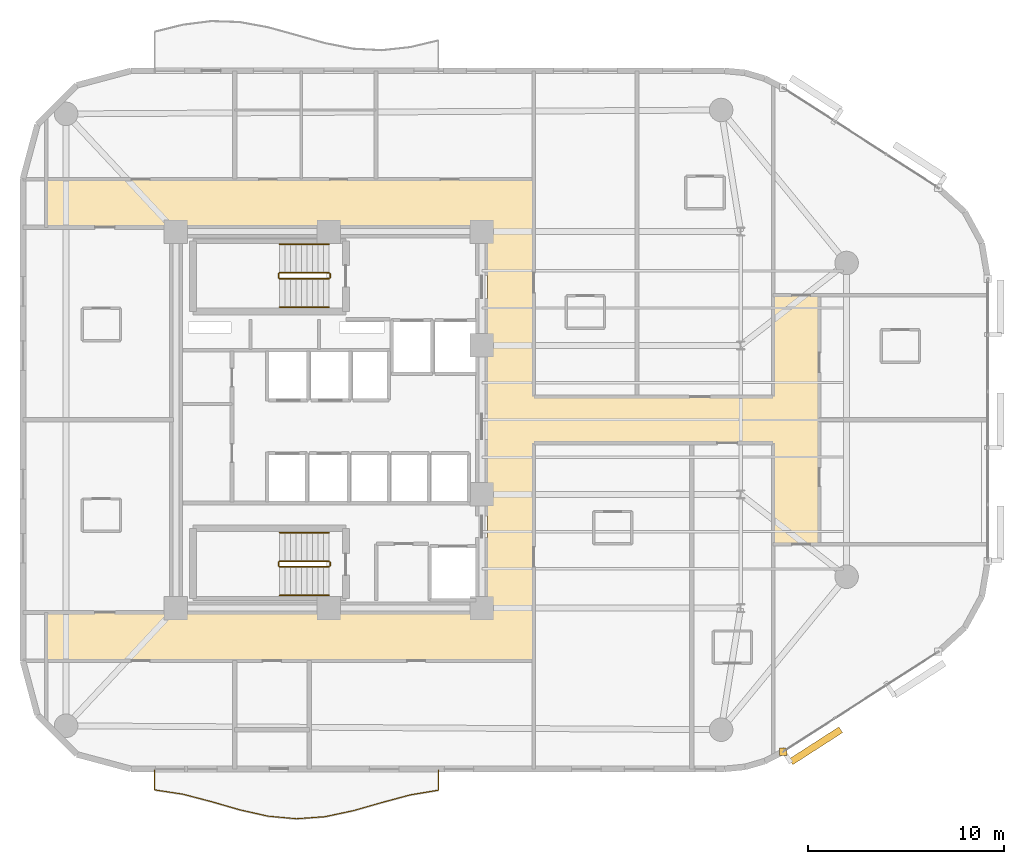
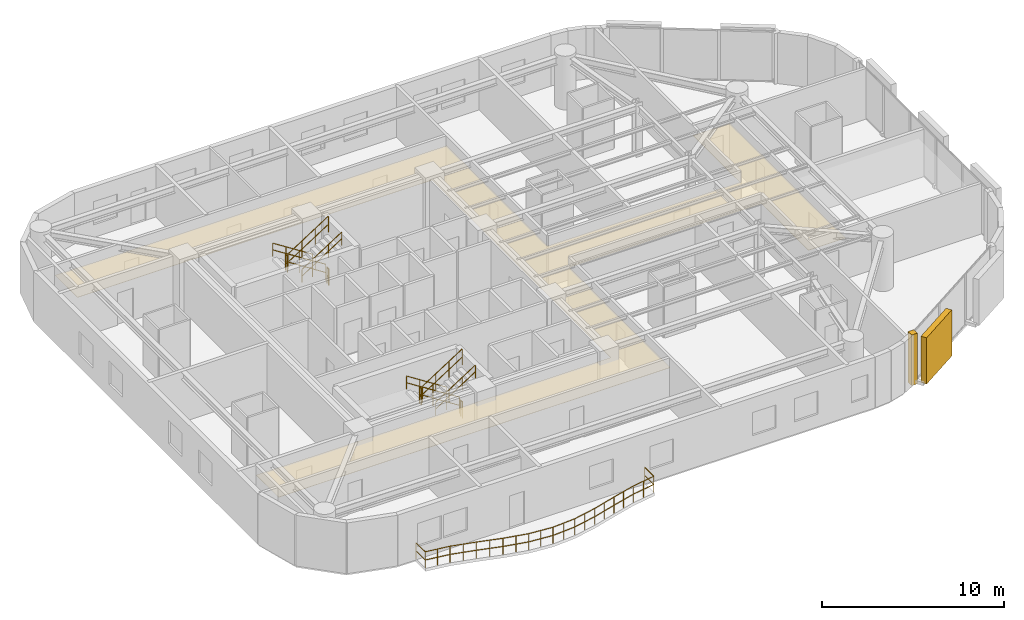
# One storey, part 14 of 15: 13 railings, 2 coverings, 1 shading device.
"""IFC4 building model written with IfcOpenShell, lengths in metres."""

from ifc_helpers import new_model, si_unit, direction, frame, origin, origin_2d, place, context, subcontext, project, spatial, polyline, rectangle, circle, outline, extrude, material, layer, layer_set, type_object, element, save


model = new_model("IFC4")

# Units and contexts
model_context = context("Model", 3, precision=1e-05, world=origin(), true_north=direction((0.0, 1.0)))
body_context = subcontext(model_context, "Body", "Model", "MODEL_VIEW")
ifc_project = project(units=[si_unit("LENGTHUNIT", "METRE"), si_unit("AREAUNIT", "SQUARE_METRE"), si_unit("VOLUMEUNIT", "CUBIC_METRE"), si_unit("PLANEANGLEUNIT", "RADIAN"), si_unit("MASSUNIT", "GRAM", prefix="KILO")], contexts=[model_context])

# Site, building, storey
site_placement = place(None, origin())
site = spatial("IfcSite", under=ifc_project, at=site_placement, CompositionType="ELEMENT")
building_placement = place(site_placement, origin())
building = spatial("IfcBuilding", under=site, at=building_placement, Name="An Khanh Terracotta Commons", CompositionType="ELEMENT")
storey_placement = place(building_placement, frame((0.0, 0.0, 143.800048828125)))
storey = spatial("IfcBuildingStorey", under=building, at=storey_placement, Name="L37", CompositionType="ELEMENT", Elevation=143.800048828125)

# Coverings
ifc_material_1 = material(Name="Perforated Mineral-Fibre Acoustic Tile")
ifc_layer_1 = layer(ifc_material_1, 0.02001953125, Name="Perforated Mineral-Fibre Acoustic Tile")
ifc_layer_set_1 = layer_set([ifc_layer_1], Name="Perforated Mineral-Fibre Acoustic Tile")
covering_type_1 = type_object("IfcCoveringType", Name="CEIL-ACOUSTIC-18", PredefinedType="CEILING", material=ifc_layer_set_1)
covering_1_placement = place(storey_placement, frame((0.0, 0.0, 2.64990234375)))
element("IfcCovering", 1, at=covering_1_placement, inside=storey, type_object=covering_type_1, Name="L37 Corridor Ceiling", PredefinedType="CEILING", context=body_context, shape_type="SweptSolid", body=[
    extrude(outline(polyline([(15.0, 11.719970703125), (15.0, 14.179931640625), (37.5, 14.179931640625), (37.5, 33.820068359375), (15.0, 33.820068359375), (15.0, 36.280029296875), (37.5, 36.280029296875), (39.85009765625, 36.280029296875), (39.85009765625, 33.820068359375), (39.85009765625, 25.179931640625), (52.050048828125, 25.179931640625), (52.050048828125, 30.35009765625), (54.39990234375, 30.35009765625), (54.39990234375, 25.179931640625), (54.39990234375, 22.820068359375), (54.39990234375, 17.64990234375), (52.050048828125, 17.64990234375), (52.050048828125, 22.820068359375), (39.85009765625, 22.820068359375), (39.85009765625, 14.179931640625), (39.85009765625, 11.719970703125), (37.5, 11.719970703125), (15.0, 11.719970703125)])), origin(), (0.0, 0.0, 1.0), 0.02001953125),
])
ifc_material_2 = material(Name="Fired Terracotta Rainscreen Cladding", Category="masonry")
ifc_layer_2 = layer(ifc_material_2, 0.080078125, Name="Fired Terracotta Rainscreen Cladding")
ifc_layer_set_2 = layer_set([ifc_layer_2], Name="Fired Terracotta Rainscreen Cladding")
covering_type_2 = type_object("IfcCoveringType", Name="COV-JAMB-TERRA", PredefinedType="CLADDING", material=ifc_layer_set_2)
covering_2_placement = place(storey_placement, frame((52.56005859375, 7.075927734375, 0.0), z_axis=(0.0, 0.0, 1.0), x_axis=(1.0, 0.0, 0.0)))
element("IfcCovering", 2, at=covering_2_placement, inside=storey, type_object=covering_type_2, Name="L37 CW-03 Curtain-Wall Jamb Closure JA", PredefinedType="CLADDING", context=body_context, shape_type="SweptSolid", body=[
    extrude(rectangle(XDim=0.3798828125, YDim=0.3798828125, at=origin_2d()), origin(), (0.0, 0.0, 1.0), 3.39990234375),
])

# Railings
ifc_material_3 = material(Name="Brushed Stainless Steel 316", Category="steel")
railing_type_1 = type_object("IfcRailingType", Name="RAIL-BALUSTRADE-1100", PredefinedType="BALUSTRADE", material=ifc_material_3)
railing_1_placement = place(storey_placement, frame((20.5, 6.139892578125, 0.0)))
element("IfcRailing", 3, at=railing_1_placement, inside=storey, type_object=railing_type_1, Name="L37 S Wave Balcony Guard Balustrade", PredefinedType="BALUSTRADE", context=body_context, shape_type="SweptSolid", body=[
    extrude(circle(Radius=0.02392578125, at=origin_2d()), frame((0.0, 0.0, 1.076171875), z_axis=(0.0, -1.0, 0.0), x_axis=(1.0, 0.0, 0.0)), (0.0, 0.0, 1.0), 1.005859375),
    extrude(circle(Radius=0.02392578125, at=origin_2d()), frame((0.0, 0.0, 0.52587890625), z_axis=(0.0, -1.0, 0.0), x_axis=(1.0, 0.0, 0.0)), (0.0, 0.0, 1.0), 1.005859375),
    extrude(circle(Radius=0.02392578125, at=origin_2d()), frame((0.0, -1.005859375, 1.076171875), z_axis=(0.988785638282, -0.149341760825, 0.0), x_axis=(0.149341760825, 0.988785638282, 0.0)), (0.0, 0.0, 1.0), 1.46630859375),
    extrude(circle(Radius=0.02392578125, at=origin_2d()), frame((0.0, -1.005859375, 0.52587890625), z_axis=(0.988785638282, -0.149341760825, 0.0), x_axis=(0.149341760825, 0.988785638282, 0.0)), (0.0, 0.0, 1.0), 1.46630859375),
    extrude(circle(Radius=0.02392578125, at=origin_2d()), frame((1.449951171875, -1.224853515625, 1.076171875), z_axis=(0.967669160336, -0.252222909614, 0.0), x_axis=(0.252222909614, 0.967669160336, 0.0)), (0.0, 0.0, 1.0), 1.498291015625),
    extrude(circle(Radius=0.02392578125, at=origin_2d()), frame((1.449951171875, -1.224853515625, 0.52587890625), z_axis=(0.967669160336, -0.252222909614, 0.0), x_axis=(0.252222909614, 0.967669160336, 0.0)), (0.0, 0.0, 1.0), 1.498291015625),
    extrude(circle(Radius=0.02392578125, at=origin_2d()), frame((2.89990234375, -1.602783203125, 1.076171875), z_axis=(0.96067104839, -0.27768892089, 0.0), x_axis=(0.27768892089, 0.96067104839, 0.0)), (0.0, 0.0, 1.0), 1.509521484375),
    extrude(circle(Radius=0.02392578125, at=origin_2d()), frame((2.89990234375, -1.602783203125, 0.52587890625), z_axis=(0.96067104839, -0.27768892089, 0.0), x_axis=(0.27768892089, 0.96067104839, 0.0)), (0.0, 0.0, 1.0), 1.509521484375),
    extrude(circle(Radius=0.02392578125, at=origin_2d()), frame((4.35009765625, -2.02197265625, 1.076171875), z_axis=(0.975654592471, -0.219312827235, 0.0), x_axis=(0.219312827235, 0.975654592471, 0.0)), (0.0, 0.0, 1.0), 1.486083984375),
    extrude(circle(Radius=0.02392578125, at=origin_2d()), frame((4.35009765625, -2.02197265625, 0.52587890625), z_axis=(0.975654592471, -0.219312827235, 0.0), x_axis=(0.219312827235, 0.975654592471, 0.0)), (0.0, 0.0, 1.0), 1.486083984375),
    extrude(circle(Radius=0.02392578125, at=origin_2d()), frame((5.800048828125, -2.347900390625, 1.076171875), z_axis=(0.99587669641, -0.090717173389, 0.0), x_axis=(0.090717173389, 0.99587669641, 0.0)), (0.0, 0.0, 1.0), 1.4560546875),
    extrude(circle(Radius=0.02392578125, at=origin_2d()), frame((5.800048828125, -2.347900390625, 0.52587890625), z_axis=(0.99587669641, -0.090717173389, 0.0), x_axis=(0.090717173389, 0.99587669641, 0.0)), (0.0, 0.0, 1.0), 1.4560546875),
    extrude(circle(Radius=0.02392578125, at=origin_2d()), frame((7.25, -2.47998046875, 1.076171875), z_axis=(0.997389180348, 0.072213730855, 0.0), x_axis=(-0.072213730855, 0.997389180348, 0.0)), (0.0, 0.0, 1.0), 1.453857421875),
    extrude(circle(Radius=0.02392578125, at=origin_2d()), frame((7.25, -2.47998046875, 0.52587890625), z_axis=(0.997389180348, 0.072213730855, 0.0), x_axis=(-0.072213730855, 0.997389180348, 0.0)), (0.0, 0.0, 1.0), 1.453857421875),
    extrude(circle(Radius=0.02392578125, at=origin_2d()), frame((8.699951171875, -2.375, 1.076171875), z_axis=(0.978025978203, 0.208483059169, 0.0), x_axis=(-0.208483059169, 0.978025978203, 0.0)), (0.0, 0.0, 1.0), 1.482421875),
    extrude(circle(Radius=0.02392578125, at=origin_2d()), frame((8.699951171875, -2.375, 0.52587890625), z_axis=(0.978025978203, 0.208483059169, 0.0), x_axis=(-0.208483059169, 0.978025978203, 0.0)), (0.0, 0.0, 1.0), 1.482421875),
    extrude(circle(Radius=0.02392578125, at=origin_2d()), frame((10.14990234375, -2.06591796875, 1.076171875), z_axis=(0.961572802146, 0.274550079535, 0.0), x_axis=(-0.274550079535, 0.961572802146, 0.0)), (0.0, 0.0, 1.0), 1.508056640625),
    extrude(circle(Radius=0.02392578125, at=origin_2d()), frame((10.14990234375, -2.06591796875, 0.52587890625), z_axis=(0.961572802146, 0.274550079535, 0.0), x_axis=(-0.274550079535, 0.961572802146, 0.0)), (0.0, 0.0, 1.0), 1.508056640625),
    extrude(circle(Radius=0.02392578125, at=origin_2d()), frame((11.60009765625, -1.65185546875, 1.076171875), z_axis=(0.965695780399, 0.259676066896, 0.0), x_axis=(-0.259676066896, 0.965695780399, 0.0)), (0.0, 0.0, 1.0), 1.50146484375),
    extrude(circle(Radius=0.02392578125, at=origin_2d()), frame((11.60009765625, -1.65185546875, 0.52587890625), z_axis=(0.965695780399, 0.259676066896, 0.0), x_axis=(-0.259676066896, 0.965695780399, 0.0)), (0.0, 0.0, 1.0), 1.50146484375),
    extrude(circle(Radius=0.02392578125, at=origin_2d()), frame((13.050048828125, -1.261962890625, 1.076171875), z_axis=(0.986335510071, 0.164749086713, 0.0), x_axis=(-0.164749086713, 0.986335510071, 0.0)), (0.0, 0.0, 1.0), 1.469970703125),
    extrude(circle(Radius=0.02392578125, at=origin_2d()), frame((13.050048828125, -1.261962890625, 0.52587890625), z_axis=(0.986335510071, 0.164749086713, 0.0), x_axis=(-0.164749086713, 0.986335510071, 0.0)), (0.0, 0.0, 1.0), 1.469970703125),
    extrude(circle(Radius=0.02392578125, at=origin_2d()), frame((14.5, -1.019775390625, 1.076171875), z_axis=(0.0, 1.0, 0.0), x_axis=(-1.0, 0.0, 0.0)), (0.0, 0.0, 1.0), 1.019775390625),
    extrude(circle(Radius=0.02392578125, at=origin_2d()), frame((14.5, -1.019775390625, 0.52587890625), z_axis=(0.0, 1.0, 0.0), x_axis=(-1.0, 0.0, 0.0)), (0.0, 0.0, 1.0), 1.019775390625),
    extrude(circle(Radius=0.02099609375, at=origin_2d()), origin(), (0.0, 0.0, 1.0), 1.052001953125),
    extrude(circle(Radius=0.02099609375, at=origin_2d()), frame((0.0, -1.005859375, 0.0)), (0.0, 0.0, 1.0), 1.052001953125),
    extrude(circle(Radius=0.02099609375, at=origin_2d()), frame((0.72509765625, -1.115234375, 0.0)), (0.0, 0.0, 1.0), 1.052001953125),
    extrude(circle(Radius=0.02099609375, at=origin_2d()), frame((1.449951171875, -1.224853515625, 0.0)), (0.0, 0.0, 1.0), 1.052001953125),
    extrude(circle(Radius=0.02099609375, at=origin_2d()), frame((2.1748046875, -1.413818359375, 0.0)), (0.0, 0.0, 1.0), 1.052001953125),
    extrude(circle(Radius=0.02099609375, at=origin_2d()), frame((2.89990234375, -1.602783203125, 0.0)), (0.0, 0.0, 1.0), 1.052001953125),
    extrude(circle(Radius=0.02099609375, at=origin_2d()), frame((3.625, -1.8125, 0.0)), (0.0, 0.0, 1.0), 1.052001953125),
    extrude(circle(Radius=0.02099609375, at=origin_2d()), frame((4.35009765625, -2.02197265625, 0.0)), (0.0, 0.0, 1.0), 1.052001953125),
    extrude(circle(Radius=0.02099609375, at=origin_2d()), frame((5.0751953125, -2.18505859375, 0.0)), (0.0, 0.0, 1.0), 1.052001953125),
    extrude(circle(Radius=0.02099609375, at=origin_2d()), frame((5.800048828125, -2.347900390625, 0.0)), (0.0, 0.0, 1.0), 1.052001953125),
    extrude(circle(Radius=0.02099609375, at=origin_2d()), frame((6.52490234375, -2.4140625, 0.0)), (0.0, 0.0, 1.0), 1.052001953125),
    extrude(circle(Radius=0.02099609375, at=origin_2d()), frame((7.25, -2.47998046875, 0.0)), (0.0, 0.0, 1.0), 1.052001953125),
    extrude(circle(Radius=0.02099609375, at=origin_2d()), frame((7.97509765625, -2.427490234375, 0.0)), (0.0, 0.0, 1.0), 1.052001953125),
    extrude(circle(Radius=0.02099609375, at=origin_2d()), frame((8.699951171875, -2.375, 0.0)), (0.0, 0.0, 1.0), 1.052001953125),
    extrude(circle(Radius=0.02099609375, at=origin_2d()), frame((9.4248046875, -2.220458984375, 0.0)), (0.0, 0.0, 1.0), 1.052001953125),
    extrude(circle(Radius=0.02099609375, at=origin_2d()), frame((10.14990234375, -2.06591796875, 0.0)), (0.0, 0.0, 1.0), 1.052001953125),
    extrude(circle(Radius=0.02099609375, at=origin_2d()), frame((10.875, -1.85888671875, 0.0)), (0.0, 0.0, 1.0), 1.052001953125),
    extrude(circle(Radius=0.02099609375, at=origin_2d()), frame((11.60009765625, -1.65185546875, 0.0)), (0.0, 0.0, 1.0), 1.052001953125),
    extrude(circle(Radius=0.02099609375, at=origin_2d()), frame((12.3251953125, -1.45703125, 0.0)), (0.0, 0.0, 1.0), 1.052001953125),
    extrude(circle(Radius=0.02099609375, at=origin_2d()), frame((13.050048828125, -1.261962890625, 0.0)), (0.0, 0.0, 1.0), 1.052001953125),
    extrude(circle(Radius=0.02099609375, at=origin_2d()), frame((13.77490234375, -1.140869140625, 0.0)), (0.0, 0.0, 1.0), 1.052001953125),
    extrude(circle(Radius=0.02099609375, at=origin_2d()), frame((14.5, -1.019775390625, 0.0)), (0.0, 0.0, 1.0), 1.052001953125),
    extrude(circle(Radius=0.02099609375, at=origin_2d()), frame((14.5, 0.0, 0.0)), (0.0, 0.0, 1.0), 1.052001953125),
])
railing_type_2 = type_object("IfcRailingType", Name="RAIL-HANDRAIL-900", PredefinedType="HANDRAIL", material=ifc_material_3)
railing_2_placement = place(storey_placement, frame((29.409912109375, 32.949951171875, 0.179931640625)))
element("IfcRailing", 4, at=railing_2_placement, inside=storey, type_object=railing_type_2, Name="L37 ST-01 stair handrail 1", PredefinedType="HANDRAIL", context=body_context, shape_type="SweptSolid", body=[
    extrude(circle(Radius=0.02392578125, at=origin_2d()), frame((0.0, 0.0, 0.8759765625), z_axis=(-0.841162588446, 0.0, 0.540782303519), x_axis=(0.0, -1.0, 0.0)), (0.0, 0.0, 1.0), 2.995849609375),
    extrude(circle(Radius=0.02392578125, at=origin_2d()), frame((0.0, 0.0, 0.42578125), z_axis=(-0.841162588446, 0.0, 0.540782303519), x_axis=(0.0, -1.0, 0.0)), (0.0, 0.0, 1.0), 2.995849609375),
    extrude(circle(Radius=0.02099609375, at=origin_2d()), origin(), (0.0, 0.0, 1.0), 0.851806640625),
    extrude(circle(Radius=0.02099609375, at=origin_2d()), frame((-0.840087890625, 0.0, 0.5400390625)), (0.0, 0.0, 1.0), 0.851806640625),
    extrude(circle(Radius=0.02099609375, at=origin_2d()), frame((-1.679931640625, 0.0, 1.080078125)), (0.0, 0.0, 1.0), 0.851806640625),
    extrude(circle(Radius=0.02099609375, at=origin_2d()), frame((-2.52001953125, 0.0, 1.6201171875)), (0.0, 0.0, 1.0), 0.851806640625),
])
railing_3_placement = place(storey_placement, frame((26.889892578125, 29.75, 1.97998046875)))
element("IfcRailing", 5, at=railing_3_placement, inside=storey, type_object=railing_type_2, Name="L37 ST-01 stair handrail 2", PredefinedType="HANDRAIL", context=body_context, shape_type="SweptSolid", body=[
    extrude(circle(Radius=0.02392578125, at=origin_2d()), frame((0.0, 0.0, 0.8759765625), z_axis=(0.841199657755, 0.0, 0.540724639528), x_axis=(0.0, 1.0, 0.0)), (0.0, 0.0, 1.0), 2.995849609375),
    extrude(circle(Radius=0.02392578125, at=origin_2d()), frame((0.0, 0.0, 0.42578125), z_axis=(0.841199657755, 0.0, 0.540724639528), x_axis=(0.0, 1.0, 0.0)), (0.0, 0.0, 1.0), 2.995849609375),
    extrude(circle(Radius=0.02099609375, at=origin_2d()), origin(), (0.0, 0.0, 1.0), 0.851806640625),
    extrude(circle(Radius=0.02099609375, at=origin_2d()), frame((0.840087890625, 0.0, 0.5400390625)), (0.0, 0.0, 1.0), 0.851806640625),
    extrude(circle(Radius=0.02099609375, at=origin_2d()), frame((1.679931640625, 0.0, 1.079833984375)), (0.0, 0.0, 1.0), 0.851806640625),
    extrude(circle(Radius=0.02099609375, at=origin_2d()), frame((2.52001953125, 0.0, 1.619873046875)), (0.0, 0.0, 1.0), 0.851806640625),
])
railing_4_placement = place(storey_placement, frame((29.409912109375, 18.25, 0.179931640625)))
element("IfcRailing", 6, at=railing_4_placement, inside=storey, type_object=railing_type_2, Name="L37 ST-02 stair handrail 1", PredefinedType="HANDRAIL", context=body_context, shape_type="SweptSolid", body=[
    extrude(circle(Radius=0.02392578125, at=origin_2d()), frame((0.0, 0.0, 0.8759765625), z_axis=(-0.841162588446, 0.0, 0.540782303519), x_axis=(0.0, -1.0, 0.0)), (0.0, 0.0, 1.0), 2.995849609375),
    extrude(circle(Radius=0.02392578125, at=origin_2d()), frame((0.0, 0.0, 0.42578125), z_axis=(-0.841162588446, 0.0, 0.540782303519), x_axis=(0.0, -1.0, 0.0)), (0.0, 0.0, 1.0), 2.995849609375),
    extrude(circle(Radius=0.02099609375, at=origin_2d()), origin(), (0.0, 0.0, 1.0), 0.851806640625),
    extrude(circle(Radius=0.02099609375, at=origin_2d()), frame((-0.840087890625, 0.0, 0.5400390625)), (0.0, 0.0, 1.0), 0.851806640625),
    extrude(circle(Radius=0.02099609375, at=origin_2d()), frame((-1.679931640625, 0.0, 1.080078125)), (0.0, 0.0, 1.0), 0.851806640625),
    extrude(circle(Radius=0.02099609375, at=origin_2d()), frame((-2.52001953125, 0.0, 1.6201171875)), (0.0, 0.0, 1.0), 0.851806640625),
])
railing_5_placement = place(storey_placement, frame((26.889892578125, 15.050048828125, 1.97998046875)))
element("IfcRailing", 7, at=railing_5_placement, inside=storey, type_object=railing_type_2, Name="L37 ST-02 stair handrail 2", PredefinedType="HANDRAIL", context=body_context, shape_type="SweptSolid", body=[
    extrude(circle(Radius=0.02392578125, at=origin_2d()), frame((0.0, 0.0, 0.8759765625), z_axis=(0.841199657755, 0.0, 0.540724639528), x_axis=(0.0, 1.0, 0.0)), (0.0, 0.0, 1.0), 2.995849609375),
    extrude(circle(Radius=0.02392578125, at=origin_2d()), frame((0.0, 0.0, 0.42578125), z_axis=(0.841199657755, 0.0, 0.540724639528), x_axis=(0.0, 1.0, 0.0)), (0.0, 0.0, 1.0), 2.995849609375),
    extrude(circle(Radius=0.02099609375, at=origin_2d()), origin(), (0.0, 0.0, 1.0), 0.851806640625),
    extrude(circle(Radius=0.02099609375, at=origin_2d()), frame((0.840087890625, 0.0, 0.5400390625)), (0.0, 0.0, 1.0), 0.851806640625),
    extrude(circle(Radius=0.02099609375, at=origin_2d()), frame((1.679931640625, 0.0, 1.079833984375)), (0.0, 0.0, 1.0), 0.851806640625),
    extrude(circle(Radius=0.02099609375, at=origin_2d()), frame((2.52001953125, 0.0, 1.619873046875)), (0.0, 0.0, 1.0), 0.851806640625),
])
ifc_material_4 = material(Name="Powder-Coated Steel S355J2", Category="steel")
railing_type_3 = type_object("IfcRailingType", Name="RAIL-STAIR-GUARD-1100", PredefinedType="BALUSTRADE", material=ifc_material_4)
railing_6_placement = place(storey_placement, frame((29.409912109375, 31.5, 0.179931640625)))
element("IfcRailing", 8, at=railing_6_placement, inside=storey, type_object=railing_type_3, Name="L37 ST-01 stair guard 1", PredefinedType="BALUSTRADE", context=body_context, shape_type="SweptSolid", body=[
    extrude(circle(Radius=0.02392578125, at=origin_2d()), frame((0.0, 0.0, 1.076171875), z_axis=(-0.841162588446, 0.0, 0.540782303519), x_axis=(0.0, -1.0, 0.0)), (0.0, 0.0, 1.0), 2.995849609375),
    extrude(circle(Radius=0.02392578125, at=origin_2d()), frame((0.0, 0.0, 0.52587890625), z_axis=(-0.841162588446, 0.0, 0.540782303519), x_axis=(0.0, -1.0, 0.0)), (0.0, 0.0, 1.0), 2.995849609375),
    extrude(circle(Radius=0.02099609375, at=origin_2d()), origin(), (0.0, 0.0, 1.0), 1.052001953125),
    extrude(circle(Radius=0.02099609375, at=origin_2d()), frame((-0.840087890625, 0.0, 0.5400390625)), (0.0, 0.0, 1.0), 1.052001953125),
    extrude(circle(Radius=0.02099609375, at=origin_2d()), frame((-1.679931640625, 0.0, 1.080078125)), (0.0, 0.0, 1.0), 1.052001953125),
    extrude(circle(Radius=0.02099609375, at=origin_2d()), frame((-2.52001953125, 0.0, 1.6201171875)), (0.0, 0.0, 1.0), 1.052001953125),
])
railing_7_placement = place(storey_placement, frame((26.840087890625, 31.449951171875, 1.800048828125)))
element("IfcRailing", 9, at=railing_7_placement, inside=storey, type_object=railing_type_3, Name="L37 ST-01 stair guard 2", PredefinedType="BALUSTRADE", context=body_context, shape_type="SweptSolid", body=[
    extrude(circle(Radius=0.02392578125, at=origin_2d()), frame((0.0, 0.0, 1.076171875), z_axis=(0.0, -1.0, 0.0), x_axis=(1.0, 0.0, 0.0)), (0.0, 0.0, 1.0), 0.199951171875),
    extrude(circle(Radius=0.02392578125, at=origin_2d()), frame((0.0, 0.0, 0.52587890625), z_axis=(0.0, -1.0, 0.0), x_axis=(1.0, 0.0, 0.0)), (0.0, 0.0, 1.0), 0.199951171875),
    extrude(circle(Radius=0.02099609375, at=origin_2d()), origin(), (0.0, 0.0, 1.0), 1.052001953125),
    extrude(circle(Radius=0.02099609375, at=origin_2d()), frame((0.0, -0.199951171875, 0.0)), (0.0, 0.0, 1.0), 1.052001953125),
])
railing_8_placement = place(storey_placement, frame((26.889892578125, 31.199951171875, 1.97998046875)))
element("IfcRailing", 10, at=railing_8_placement, inside=storey, type_object=railing_type_3, Name="L37 ST-01 stair guard 3", PredefinedType="BALUSTRADE", context=body_context, shape_type="SweptSolid", body=[
    extrude(circle(Radius=0.02392578125, at=origin_2d()), frame((0.0, 0.0, 1.076171875), z_axis=(0.841199657755, 0.0, 0.540724639528), x_axis=(0.0, 1.0, 0.0)), (0.0, 0.0, 1.0), 2.995849609375),
    extrude(circle(Radius=0.02392578125, at=origin_2d()), frame((0.0, 0.0, 0.52587890625), z_axis=(0.841199657755, 0.0, 0.540724639528), x_axis=(0.0, 1.0, 0.0)), (0.0, 0.0, 1.0), 2.995849609375),
    extrude(circle(Radius=0.02099609375, at=origin_2d()), origin(), (0.0, 0.0, 1.0), 1.052001953125),
    extrude(circle(Radius=0.02099609375, at=origin_2d()), frame((0.840087890625, 0.0, 0.5400390625)), (0.0, 0.0, 1.0), 1.052001953125),
    extrude(circle(Radius=0.02099609375, at=origin_2d()), frame((1.679931640625, 0.0, 1.079833984375)), (0.0, 0.0, 1.0), 1.052001953125),
    extrude(circle(Radius=0.02099609375, at=origin_2d()), frame((2.52001953125, 0.0, 1.619873046875)), (0.0, 0.0, 1.0), 1.052001953125),
])
railing_9_placement = place(storey_placement, frame((29.4599609375, 31.449951171875, 0.0)))
element("IfcRailing", 11, at=railing_9_placement, inside=storey, type_object=railing_type_3, Name="L37 ST-01 stair guard 4", PredefinedType="BALUSTRADE", context=body_context, shape_type="SweptSolid", body=[
    extrude(circle(Radius=0.02392578125, at=origin_2d()), frame((0.0, 0.0, 1.076171875), z_axis=(0.0, -1.0, 0.0), x_axis=(1.0, 0.0, 0.0)), (0.0, 0.0, 1.0), 0.199951171875),
    extrude(circle(Radius=0.02392578125, at=origin_2d()), frame((0.0, 0.0, 0.52587890625), z_axis=(0.0, -1.0, 0.0), x_axis=(1.0, 0.0, 0.0)), (0.0, 0.0, 1.0), 0.199951171875),
    extrude(circle(Radius=0.02099609375, at=origin_2d()), origin(), (0.0, 0.0, 1.0), 1.052001953125),
    extrude(circle(Radius=0.02099609375, at=origin_2d()), frame((0.0, -0.199951171875, 0.0)), (0.0, 0.0, 1.0), 1.052001953125),
])
railing_10_placement = place(storey_placement, frame((29.409912109375, 16.800048828125, 0.179931640625)))
element("IfcRailing", 12, at=railing_10_placement, inside=storey, type_object=railing_type_3, Name="L37 ST-02 stair guard 1", PredefinedType="BALUSTRADE", context=body_context, shape_type="SweptSolid", body=[
    extrude(circle(Radius=0.02392578125, at=origin_2d()), frame((0.0, 0.0, 1.076171875), z_axis=(-0.841162588446, 0.0, 0.540782303519), x_axis=(0.0, -1.0, 0.0)), (0.0, 0.0, 1.0), 2.995849609375),
    extrude(circle(Radius=0.02392578125, at=origin_2d()), frame((0.0, 0.0, 0.52587890625), z_axis=(-0.841162588446, 0.0, 0.540782303519), x_axis=(0.0, -1.0, 0.0)), (0.0, 0.0, 1.0), 2.995849609375),
    extrude(circle(Radius=0.02099609375, at=origin_2d()), origin(), (0.0, 0.0, 1.0), 1.052001953125),
    extrude(circle(Radius=0.02099609375, at=origin_2d()), frame((-0.840087890625, 0.0, 0.5400390625)), (0.0, 0.0, 1.0), 1.052001953125),
    extrude(circle(Radius=0.02099609375, at=origin_2d()), frame((-1.679931640625, 0.0, 1.080078125)), (0.0, 0.0, 1.0), 1.052001953125),
    extrude(circle(Radius=0.02099609375, at=origin_2d()), frame((-2.52001953125, 0.0, 1.6201171875)), (0.0, 0.0, 1.0), 1.052001953125),
])
railing_11_placement = place(storey_placement, frame((26.840087890625, 16.75, 1.800048828125)))
element("IfcRailing", 13, at=railing_11_placement, inside=storey, type_object=railing_type_3, Name="L37 ST-02 stair guard 2", PredefinedType="BALUSTRADE", context=body_context, shape_type="SweptSolid", body=[
    extrude(circle(Radius=0.02392578125, at=origin_2d()), frame((0.0, 0.0, 1.076171875), z_axis=(0.0, -1.0, 0.0), x_axis=(1.0, 0.0, 0.0)), (0.0, 0.0, 1.0), 0.199951171875),
    extrude(circle(Radius=0.02392578125, at=origin_2d()), frame((0.0, 0.0, 0.52587890625), z_axis=(0.0, -1.0, 0.0), x_axis=(1.0, 0.0, 0.0)), (0.0, 0.0, 1.0), 0.199951171875),
    extrude(circle(Radius=0.02099609375, at=origin_2d()), origin(), (0.0, 0.0, 1.0), 1.052001953125),
    extrude(circle(Radius=0.02099609375, at=origin_2d()), frame((0.0, -0.199951171875, 0.0)), (0.0, 0.0, 1.0), 1.052001953125),
])
railing_12_placement = place(storey_placement, frame((26.889892578125, 16.5, 1.97998046875)))
element("IfcRailing", 14, at=railing_12_placement, inside=storey, type_object=railing_type_3, Name="L37 ST-02 stair guard 3", PredefinedType="BALUSTRADE", context=body_context, shape_type="SweptSolid", body=[
    extrude(circle(Radius=0.02392578125, at=origin_2d()), frame((0.0, 0.0, 1.076171875), z_axis=(0.841199657755, 0.0, 0.540724639528), x_axis=(0.0, 1.0, 0.0)), (0.0, 0.0, 1.0), 2.995849609375),
    extrude(circle(Radius=0.02392578125, at=origin_2d()), frame((0.0, 0.0, 0.52587890625), z_axis=(0.841199657755, 0.0, 0.540724639528), x_axis=(0.0, 1.0, 0.0)), (0.0, 0.0, 1.0), 2.995849609375),
    extrude(circle(Radius=0.02099609375, at=origin_2d()), origin(), (0.0, 0.0, 1.0), 1.052001953125),
    extrude(circle(Radius=0.02099609375, at=origin_2d()), frame((0.840087890625, 0.0, 0.5400390625)), (0.0, 0.0, 1.0), 1.052001953125),
    extrude(circle(Radius=0.02099609375, at=origin_2d()), frame((1.679931640625, 0.0, 1.079833984375)), (0.0, 0.0, 1.0), 1.052001953125),
    extrude(circle(Radius=0.02099609375, at=origin_2d()), frame((2.52001953125, 0.0, 1.619873046875)), (0.0, 0.0, 1.0), 1.052001953125),
])
railing_13_placement = place(storey_placement, frame((29.4599609375, 16.75, 0.0)))
element("IfcRailing", 15, at=railing_13_placement, inside=storey, type_object=railing_type_3, Name="L37 ST-02 stair guard 4", PredefinedType="BALUSTRADE", context=body_context, shape_type="SweptSolid", body=[
    extrude(circle(Radius=0.02392578125, at=origin_2d()), frame((0.0, 0.0, 1.076171875), z_axis=(0.0, -1.0, 0.0), x_axis=(1.0, 0.0, 0.0)), (0.0, 0.0, 1.0), 0.199951171875),
    extrude(circle(Radius=0.02392578125, at=origin_2d()), frame((0.0, 0.0, 0.52587890625), z_axis=(0.0, -1.0, 0.0), x_axis=(1.0, 0.0, 0.0)), (0.0, 0.0, 1.0), 0.199951171875),
    extrude(circle(Radius=0.02099609375, at=origin_2d()), origin(), (0.0, 0.0, 1.0), 1.052001953125),
    extrude(circle(Radius=0.02099609375, at=origin_2d()), frame((0.0, -0.199951171875, 0.0)), (0.0, 0.0, 1.0), 1.052001953125),
])

# Shading device
ifc_material_5 = material(Name="Extruded Fired Terracotta", Category="masonry")
shading_device_type = type_object("IfcShadingDeviceType", Name="Terracotta Baguette Screen Assembly", PredefinedType="USERDEFINED", material=ifc_material_5)
shading_device_placement = place(storey_placement, frame((54.23193359375, 7.3798828125, 0.14990234375), z_axis=(0.0, 0.0, 1.0), x_axis=(0.840702081986, 0.541497931062, 0.0)))
element("IfcShadingDevice", 16, at=shading_device_placement, inside=storey, type_object=shading_device_type, Name="L37 Terracotta Baguette Screen 1", ObjectType="BAGUETTE", PredefinedType="USERDEFINED", context=body_context, shape_type="SweptSolid", body=[
    extrude(rectangle(XDim=3.01904296875, YDim=0.35009765625, at=origin_2d()), origin(), (0.0, 0.0, 1.0), 3.10009765625),
])

save(model, "model.ifc")
